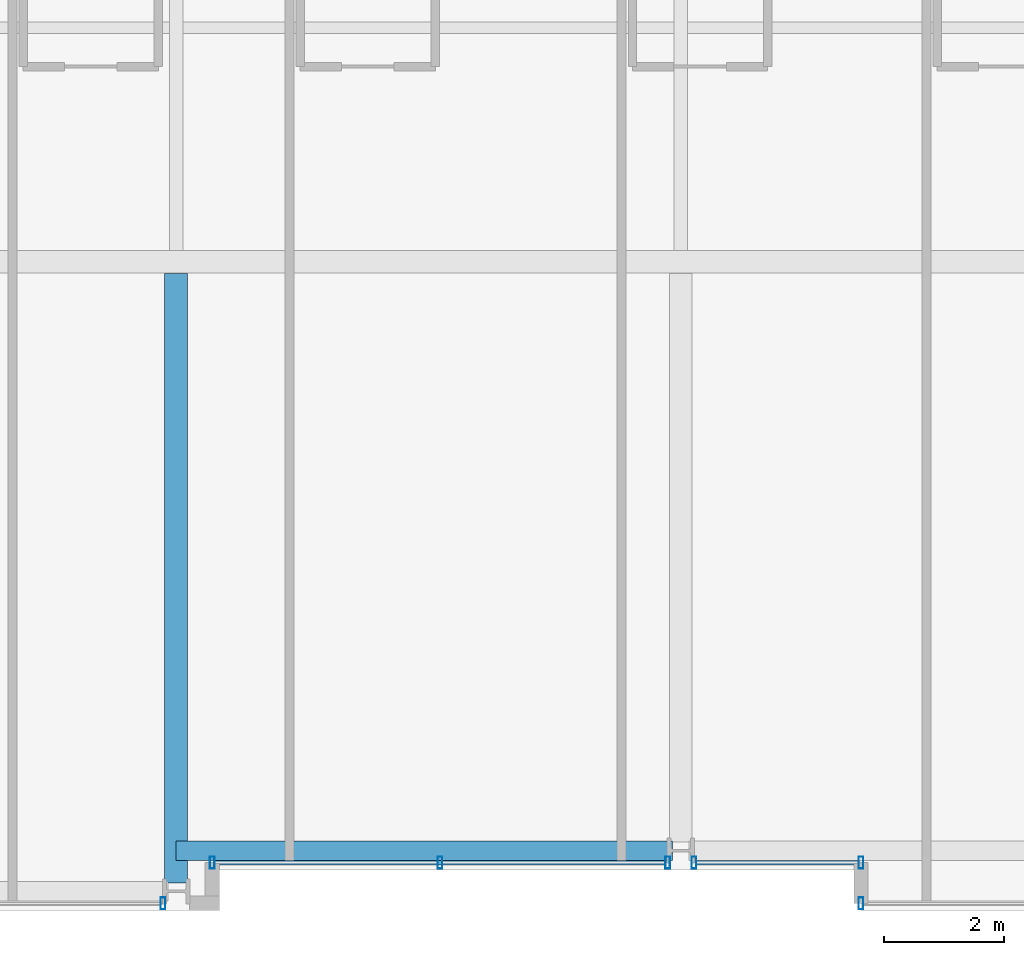
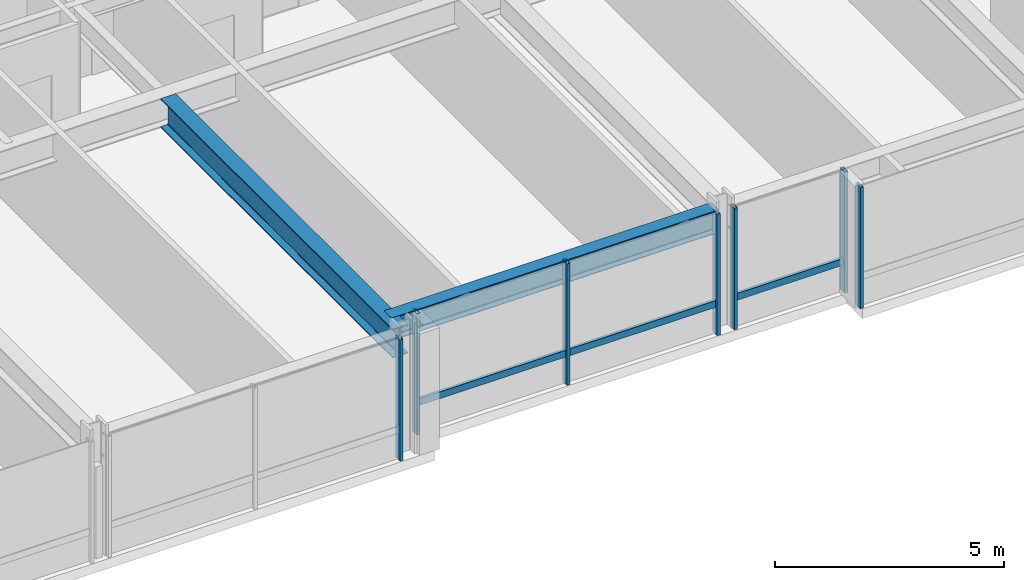
# One storey, part 5 of 35: 9 members, 2 beams, 4 elements without a shape of their own.
"""IFC4 building model written with IfcOpenShell, lengths in metres."""

from ifc_helpers import new_model, si_unit, direction, frame, origin, origin_2d, place, context, subcontext, project, spatial, hollow_rectangle, i_section, extrude, material, layer, layer_set, material_profile, profile_set, type_object, element, aggregate, save


model = new_model("IFC4")

# Units and contexts
model_context = context("Model", 3, precision=1e-05, world=origin(), true_north=direction((0.0, 1.0)))
body_context = subcontext(model_context, "Body", "Model", "MODEL_VIEW")
ifc_project = project(units=[si_unit("LENGTHUNIT", "METRE"), si_unit("AREAUNIT", "SQUARE_METRE"), si_unit("VOLUMEUNIT", "CUBIC_METRE"), si_unit("PLANEANGLEUNIT", "RADIAN"), si_unit("MASSUNIT", "GRAM", prefix="KILO")], contexts=[model_context])

# Site, building, storey
site_placement = place(None, origin())
site = spatial("IfcSite", under=ifc_project, at=site_placement, CompositionType="ELEMENT")
building_placement = place(site_placement, origin())
building = spatial("IfcBuilding", under=site, at=building_placement, Name="Drelvath Grand Hotel", CompositionType="ELEMENT")
storey_placement = place(building_placement, frame((0.0, 0.0, 98.800048828125)))
storey = spatial("IfcBuildingStorey", under=building, at=storey_placement, Name="L24", CompositionType="ELEMENT", Elevation=98.800048828125)

# Curtain wall, member
ifc_material_1 = material(Name="Champagne Bronze Anodised Aluminium Frame", Category="aluminium")
ifc_layer = layer(ifc_material_1, 0.199951171875)
ifc_layer_set = layer_set([ifc_layer], Name="Champagne Bronze Anodised Aluminium Frame")
curtain_wall_type = type_object("IfcCurtainWallType", Name="Stick Curtain Wall CW-03 Champagne Bronze Mid-Rise", PredefinedType="NOTDEFINED", material=ifc_layer_set)
curtain_wall_1_placement = place(storey_placement, origin())
curtain_wall_1 = element("IfcCurtainWall", 1, at=curtain_wall_1_placement, inside=storey, type_object=curtain_wall_type, Name="L24 CW-03 Curtain Wall CW03-L24-SM1", PredefinedType="NOTDEFINED")
ifc_material_profile_1 = material_profile(ifc_material_1, hollow_rectangle(XDim=0.074951171875, YDim=0.179931640625, WallThickness=0.0048828125, at=origin_2d()), Name="HSS180X75X5")
ifc_profile_set_1 = profile_set([ifc_material_profile_1], Name="Champagne Bronze Anodised Aluminium Frame")
member_type_1 = type_object("IfcMemberType", Name="Curtain Wall Horizontal Transom CW-03 HSS180X75X5", PredefinedType="USERDEFINED", material=ifc_profile_set_1)
member_1_placement = place(storey_placement, frame((-0.259521484375, 0.800048828125, 0.81005859375), z_axis=(-1.0, 0.0, 0.0), x_axis=(0.0, -1.0, 0.0)))
member_1 = element("IfcMember", 2, at=member_1_placement, type_object=member_type_1, Name="CW03-L24-SM1 Sill Transom", ObjectType="TRANSOM", PredefinedType="USERDEFINED", context=body_context, shape_type="SweptSolid", body=[
    extrude(hollow_rectangle(XDim=0.074951171875, YDim=0.179931640625, WallThickness=0.0048828125, at=origin_2d()), origin(), (0.0, 0.0, 1.0), 7.50048828125),
])

curtain_wall_2_placement = place(storey_placement, origin())
curtain_wall_2 = element("IfcCurtainWall", 3, at=curtain_wall_2_placement, inside=storey, type_object=curtain_wall_type, Name="L24 CW-03 Curtain Wall CW03-L24-SM2", PredefinedType="NOTDEFINED")
member_2_placement = place(storey_placement, frame((2.9599609375, 0.800048828125, 0.81005859375), z_axis=(-1.0, 0.0, 0.0), x_axis=(0.0, -1.0, 0.0)))
member_2 = element("IfcMember", 4, at=member_2_placement, type_object=member_type_1, Name="CW03-L24-SM2 Sill Transom", ObjectType="TRANSOM", PredefinedType="USERDEFINED", context=body_context, shape_type="SweptSolid", body=[
    extrude(hollow_rectangle(XDim=0.074951171875, YDim=0.179931640625, WallThickness=0.0048828125, at=origin_2d()), origin(), (0.0, 0.0, 1.0), 2.700439453125),
])

curtain_wall_3_placement = place(storey_placement, origin())
curtain_wall_3 = element("IfcCurtainWall", 5, at=curtain_wall_3_placement, inside=storey, type_object=curtain_wall_type, Name="L24 CW-03 Curtain Wall CW03-L24-SE1", PredefinedType="NOTDEFINED")
ifc_material_profile_2 = material_profile(ifc_material_1, hollow_rectangle(XDim=0.080078125, YDim=0.199951171875, WallThickness=0.0048828125, at=origin_2d()), Name="HSS200X80X5")
ifc_profile_set_2 = profile_set([ifc_material_profile_2], Name="Champagne Bronze Anodised Aluminium Frame")
member_type_2 = type_object("IfcMemberType", Name="Curtain Wall Vertical Mullion CW-03 HSS200X80X5", PredefinedType="MULLION", material=ifc_profile_set_2)
member_3_placement = place(storey_placement, frame((3.0, 0.1201171875, 0.0), z_axis=(0.0, 0.0, 1.0), x_axis=(1.0, 0.0, 0.0)))
member_3 = element("IfcMember", 6, at=member_3_placement, type_object=member_type_2, Name="CW03-L24-SE1 Mullion 2", PredefinedType="MULLION", context=body_context, shape_type="SweptSolid", body=[
    extrude(hollow_rectangle(XDim=0.080078125, YDim=0.199951171875, WallThickness=0.0048828125, at=origin_2d()), origin(), (0.0, 0.0, 1.0), 3.239990234375),
])
aggregate(curtain_wall_3, [member_3])

# Member
member_4_placement = place(storey_placement, frame((-0.219482421875, 0.800048828125, 0.0), z_axis=(0.0, 0.0, 1.0), x_axis=(1.0, 0.0, 0.0)))
member_4 = element("IfcMember", 7, at=member_4_placement, type_object=member_type_2, Name="CW03-L24-SM1 Mullion 1", PredefinedType="MULLION", context=body_context, shape_type="SweptSolid", body=[
    extrude(hollow_rectangle(XDim=0.080078125, YDim=0.199951171875, WallThickness=0.0048828125, at=origin_2d()), origin(), (0.0, 0.0, 1.0), 3.239990234375),
])

member_5_placement = place(storey_placement, frame((-4.009765625, 0.800048828125, 0.0), z_axis=(0.0, 0.0, 1.0), x_axis=(1.0, 0.0, 0.0)))
member_5 = element("IfcMember", 8, at=member_5_placement, type_object=member_type_2, Name="CW03-L24-SM1 Mullion 2", PredefinedType="MULLION", context=body_context, shape_type="SweptSolid", body=[
    extrude(hollow_rectangle(XDim=0.080078125, YDim=0.199951171875, WallThickness=0.0048828125, at=origin_2d()), origin(), (0.0, 0.0, 1.0), 3.239990234375),
])

member_6_placement = place(storey_placement, frame((-7.800048828125, 0.800048828125, 0.0), z_axis=(0.0, 0.0, 1.0), x_axis=(1.0, 0.0, 0.0)))
member_6 = element("IfcMember", 9, at=member_6_placement, type_object=member_type_2, Name="CW03-L24-SM1 Mullion 3", PredefinedType="MULLION", context=body_context, shape_type="SweptSolid", body=[
    extrude(hollow_rectangle(XDim=0.080078125, YDim=0.199951171875, WallThickness=0.0048828125, at=origin_2d()), origin(), (0.0, 0.0, 1.0), 3.239990234375),
])

aggregate(curtain_wall_1, [member_4, member_5, member_6, member_1])

member_7_placement = place(storey_placement, frame((3.0, 0.800048828125, 0.0), z_axis=(0.0, 0.0, 1.0), x_axis=(1.0, 0.0, 0.0)))
member_7 = element("IfcMember", 10, at=member_7_placement, type_object=member_type_2, Name="CW03-L24-SM2 Mullion 1", PredefinedType="MULLION", context=body_context, shape_type="SweptSolid", body=[
    extrude(hollow_rectangle(XDim=0.080078125, YDim=0.199951171875, WallThickness=0.0048828125, at=origin_2d()), origin(), (0.0, 0.0, 1.0), 3.239990234375),
])

member_8_placement = place(storey_placement, frame((0.219482421875, 0.800048828125, 0.0), z_axis=(0.0, 0.0, 1.0), x_axis=(1.0, 0.0, 0.0)))
member_8 = element("IfcMember", 11, at=member_8_placement, type_object=member_type_2, Name="CW03-L24-SM2 Mullion 2", PredefinedType="MULLION", context=body_context, shape_type="SweptSolid", body=[
    extrude(hollow_rectangle(XDim=0.080078125, YDim=0.199951171875, WallThickness=0.0048828125, at=origin_2d()), origin(), (0.0, 0.0, 1.0), 3.239990234375),
])

aggregate(curtain_wall_2, [member_7, member_8, member_2])

# Curtain wall, member
curtain_wall_4_placement = place(storey_placement, origin())
curtain_wall_4 = element("IfcCurtainWall", 12, at=curtain_wall_4_placement, inside=storey, type_object=curtain_wall_type, Name="L24 CW-03 Curtain Wall CW03-L24-SW2", PredefinedType="NOTDEFINED")
member_9_placement = place(storey_placement, frame((-8.61962890625, 0.1201171875, 0.0), z_axis=(0.0, 0.0, 1.0), x_axis=(1.0, 0.0, 0.0)))
member_9 = element("IfcMember", 13, at=member_9_placement, type_object=member_type_2, Name="CW03-L24-SW2 Mullion 1", PredefinedType="MULLION", context=body_context, shape_type="SweptSolid", body=[
    extrude(hollow_rectangle(XDim=0.080078125, YDim=0.199951171875, WallThickness=0.0048828125, at=origin_2d()), origin(), (0.0, 0.0, 1.0), 3.239990234375),
])
aggregate(curtain_wall_4, [member_9])

# Beams
ifc_material_2 = material(Name="Steel ASTM A992 Gr 50", Category="steel")
ifc_material_profile_3 = material_profile(ifc_material_2, i_section(OverallWidth=0.323974609375, OverallDepth=0.611083984375, WebThickness=0.0126953125, FlangeThickness=0.01904296875, FilletRadius=0.02197265625, at=origin_2d()), Name="W24X104")
ifc_profile_set_3 = profile_set([ifc_material_profile_3], Name="Steel ASTM A992 Gr 50")
beam_type_1 = type_object("IfcBeamType", Name="Perimeter Spandrel Beam W24X104", PredefinedType="SPANDREL", material=ifc_profile_set_3)
beam_1_placement = place(storey_placement, frame((-8.39990234375, 1.0, 2.9345703125), z_axis=(1.0, 0.0, 0.0), x_axis=(0.0, 1.0, 0.0)))
element("IfcBeam", 14, at=beam_1_placement, inside=storey, type_object=beam_type_1, Name="L24 Spandrel South Mid W", PredefinedType="SPANDREL", context=body_context, shape_type="SweptSolid", body=[
    extrude(i_section(OverallWidth=0.323974609375, OverallDepth=0.611083984375, WebThickness=0.0126953125, FlangeThickness=0.01904296875, FilletRadius=0.02197265625, at=origin_2d()), origin(), (0.0, 0.0, 1.0), 8.260009765625),
])
ifc_material_profile_4 = material_profile(ifc_material_2, i_section(OverallWidth=0.380615234375, OverallDepth=0.773193359375, WebThickness=0.0166015625, FlangeThickness=0.027099609375, FilletRadius=0.02490234375, at=origin_2d()), Name="W30X173")
ifc_profile_set_4 = profile_set([ifc_material_profile_4], Name="Steel ASTM A992 Gr 50")
beam_type_2 = type_object("IfcBeamType", Name="Primary Floor Girder W30X173", PredefinedType="BEAM", material=ifc_profile_set_4)
beam_2_placement = place(storey_placement, frame((-8.39990234375, 0.4599609375, 2.853271484375), z_axis=(0.0, 1.0, 0.0), x_axis=(-1.0, 0.0, 0.0)))
element("IfcBeam", 15, at=beam_2_placement, inside=storey, type_object=beam_type_2, Name="L24 South Wing Girder 4", PredefinedType="BEAM", context=body_context, shape_type="SweptSolid", body=[
    extrude(i_section(OverallWidth=0.380615234375, OverallDepth=0.773193359375, WebThickness=0.0166015625, FlangeThickness=0.027099609375, FilletRadius=0.02490234375, at=origin_2d()), origin(), (0.0, 0.0, 1.0), 10.149658203125),
])

save(model, "model.ifc")
